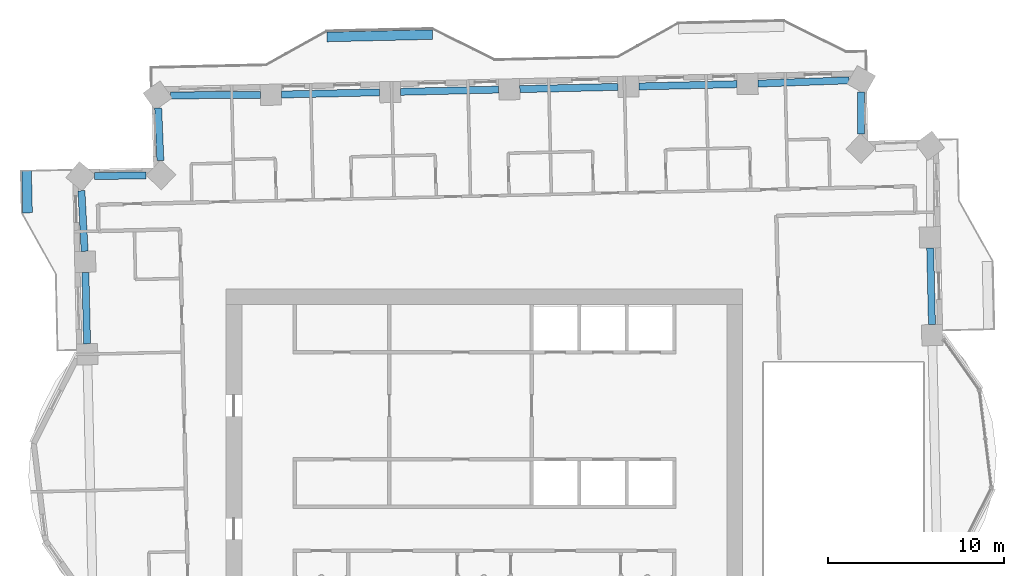
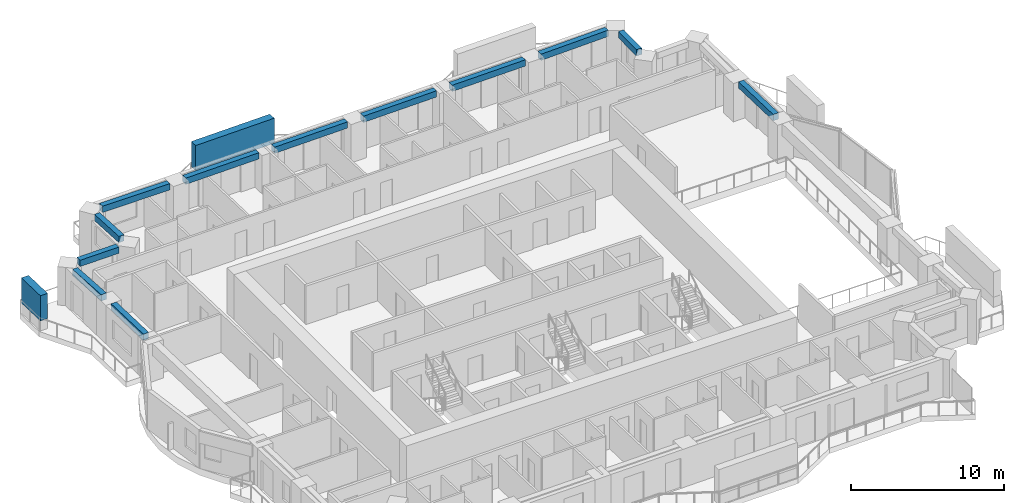
# One storey, part 3 of 16: 12 beams, 2 members.
"""IFC4 building model written with IfcOpenShell, lengths in metres."""

import ifcopenshell
import ifcopenshell.guid

model = None  # the IFC model being written
_history = None  # IfcOwnerHistory: only IFC2X3 demands one
_inside = {}  # id of a spatial element -> (the spatial element, [elements in it])
_under = {}  # id of a project, library or spatial element -> (it, [spatial elements below it])
_declared = {}  # id of a project -> (the project, [libraries it declares])
_typed = {}  # id of a type object -> (the type object, [elements of that type])
_made_of = {}  # id of a material, layer set ... -> (it, [elements and type objects made of it])


def new_model(schema):
    """Start an empty IFC model of exactly this schema.

    Asked for "IFC4X3", IfcOpenShell would pick the latest addendum, in which some entities
    have other attributes; the version numbers below select the first issue.
    IFC2X3 requires an IfcOwnerHistory on every rooted entity: one is made here for all.
    """
    global model, _history
    if schema == "IFC4X3":
        model = ifcopenshell.file(schema_version=(4, 3, 0, 0))
    else:
        model = ifcopenshell.file(schema=schema)
    _inside.clear()
    _under.clear()
    _declared.clear()
    _typed.clear()
    _made_of.clear()
    _history = None
    if model.schema == "IFC2X3":
        org = make("IfcOrganization", Name="unknown")
        user = make(
            "IfcPersonAndOrganization",
            ThePerson=make("IfcPerson", FamilyName="unknown"),
            TheOrganization=org,
        )
        app = make(
            "IfcApplication",
            ApplicationDeveloper=org,
            Version="unknown",
            ApplicationFullName="unknown",
            ApplicationIdentifier="unknown",
        )
        _history = make(
            "IfcOwnerHistory",
            OwningUser=user,
            OwningApplication=app,
            ChangeAction="ADDED",
            CreationDate=0,
        )
    return model


def make(cls, **values):
    """One entity of the class cls with the attributes given. An attribute that is None is left unset."""
    return model.create_entity(
        cls, **{name: value for name, value in values.items() if value is not None}
    )


def rooted(cls, **values):
    """An entity with a GlobalId (a new one), such as an element, a storey or a relation."""
    return make(cls, GlobalId=ifcopenshell.guid.new(), OwnerHistory=_history, **values)


def si_unit(unit_type, name, prefix=None):
    """IfcSIUnit, for example si_unit("LENGTHUNIT", "METRE", prefix="MILLI")."""
    return make("IfcSIUnit", UnitType=unit_type, Prefix=prefix, Name=name)


def assignment(units):
    """IfcUnitAssignment: the units of a project."""
    return None if units is None else make("IfcUnitAssignment", Units=units)


def point(xyz):
    """IfcCartesianPoint."""
    return None if xyz is None else make("IfcCartesianPoint", Coordinates=xyz)


def direction(xyz):
    """IfcDirection."""
    return None if xyz is None else make("IfcDirection", DirectionRatios=xyz)


def frame(location, z_axis=None, x_axis=None):
    """IfcAxis2Placement3D, a coordinate frame: its origin and axes. An axis left out is left unset."""
    return make(
        "IfcAxis2Placement3D",
        Location=point(location),
        Axis=direction(z_axis),
        RefDirection=direction(x_axis),
    )


def frame_2d(location, x_axis=None):
    """IfcAxis2Placement2D, a coordinate frame in the plane: its origin and x axis."""
    return make(
        "IfcAxis2Placement2D", Location=point(location), RefDirection=direction(x_axis)
    )


def origin():
    """The frame at (0, 0, 0) with its axes left unset."""
    return frame((0.0, 0.0, 0.0))


def origin_2d():
    """The frame at (0, 0) in the plane with its x axis left unset."""
    return frame_2d((0.0, 0.0))


def place(relative_to, where):
    """IfcLocalPlacement: puts the frame where relative to a parent placement (None: the world)."""
    return make(
        "IfcLocalPlacement", PlacementRelTo=relative_to, RelativePlacement=where
    )


def context(
    kind, dimensions, precision=None, world=None, true_north=None, identifier=None
):
    """IfcGeometricRepresentationContext, for example the 3D "Model" context."""
    return make(
        "IfcGeometricRepresentationContext",
        ContextIdentifier=identifier,
        ContextType=kind,
        CoordinateSpaceDimension=dimensions,
        Precision=precision,
        WorldCoordinateSystem=world,
        TrueNorth=true_north,
    )


def subcontext(parent, identifier, kind, view, scale=None):
    """IfcGeometricRepresentationSubContext, for example "Body" below "Model"."""
    return make(
        "IfcGeometricRepresentationSubContext",
        ContextIdentifier=identifier,
        ContextType=kind,
        ParentContext=parent,
        TargetScale=scale,
        TargetView=view,
    )


def project(units=None, contexts=None):
    """IfcProject with its units and contexts."""
    return rooted(
        "IfcProject",
        Name="project",
        RepresentationContexts=contexts,
        UnitsInContext=assignment(units),
    )


def spatial(cls, under=None, at=None, **own):
    """A site, building, storey or space (cls), placed at a placement, below another one or the project."""
    s = rooted(cls, ObjectPlacement=at, **own)
    if under is not None:
        _under.setdefault(under.id(), (under, []))[1].append(s)
    return s


def profile(cls, at=None, kind="AREA", **sizes):
    """A parametric profile (cls). Its sizes go by their IFC names, for example OverallWidth=200.0."""
    return make(cls, ProfileType=kind, Position=at, **sizes)


def rectangle(**sizes):
    """IfcRectangleProfileDef."""
    return profile("IfcRectangleProfileDef", **sizes)


def extrude(swept, where, along, depth):
    """IfcExtrudedAreaSolid: the profile swept, set in the frame where, extruded along a direction by depth."""
    return make(
        "IfcExtrudedAreaSolid",
        SweptArea=swept,
        Position=where,
        ExtrudedDirection=direction(along),
        Depth=depth,
    )


def shape(context_of_items, identifier, shape_type, items):
    """IfcShapeRepresentation: the items that make up one representation, for example the "Body"."""
    return make(
        "IfcShapeRepresentation",
        ContextOfItems=context_of_items,
        RepresentationIdentifier=identifier,
        RepresentationType=shape_type,
        Items=items,
    )


def material(Name=None, Category=None):
    """IfcMaterial."""
    return make("IfcMaterial", Name=Name, Category=Category)


def material_profile(
    of_material, cross_section, Name=None, Category=None, Priority=None
):
    """IfcMaterialProfile: a cross section and its material."""
    return make(
        "IfcMaterialProfile",
        Name=Name,
        Material=of_material,
        Profile=cross_section,
        Priority=Priority,
        Category=Category,
    )


def profile_set(profiles, Name=None, composite=None):
    """IfcMaterialProfileSet."""
    return make(
        "IfcMaterialProfileSet",
        Name=Name,
        MaterialProfiles=profiles,
        CompositeProfile=composite,
    )


def made_of(thing, what):
    """Note that an element or type object is made of a material, layer set ...; save() writes the relation."""
    if what is not None:
        _made_of.setdefault(what.id(), (what, []))[1].append(thing)
    return thing


def type_object(cls, material=None, **own):
    """A type object (cls), such as IfcWallType, which elements share."""
    return made_of(rooted(cls, **own), material)


def element(
    cls,
    number,
    at=None,
    inside=None,
    cuts=None,
    type_object=None,
    material=None,
    context=None,
    identifier="Body",
    shape_type=None,
    held_by="IfcProductDefinitionShape",
    body=None,
    shapes=None,
    **own,
):
    """One element of the class cls, such as IfcWall. Its Tag is "e" and its number.

    at: its placement. inside: the storey or other place that contains it. cuts: it is an
    opening in that element (IfcRelVoidsElement). A single representation is given by context,
    identifier, shape_type and body (its items); several are given by shapes. held_by: the class
    of the entity that holds the representations. save() writes the other relations.
    """
    e = rooted(cls, Tag="e%d" % number, ObjectPlacement=at, **own)
    if body is not None:
        shapes = [shape(context, identifier, shape_type, body)]
    if shapes is not None:
        e.Representation = make(held_by, Representations=shapes)
    if inside is not None:
        _inside.setdefault(inside.id(), (inside, []))[1].append(e)
    if cuts is not None:
        rooted(
            "IfcRelVoidsElement", RelatingBuildingElement=cuts, RelatedOpeningElement=e
        )
    if type_object is not None:
        _typed.setdefault(type_object.id(), (type_object, []))[1].append(e)
    return made_of(e, material)


def aggregate(whole, parts):
    """IfcRelAggregates: a whole, such as a stair, and the parts it consists of."""
    return rooted("IfcRelAggregates", RelatingObject=whole, RelatedObjects=parts)


def save(model, path):
    """Write the relations noted so far, then the file.

    IfcRelAggregates (storeys below a building ...), IfcRelContainedInSpatialStructure (elements
    in a storey), IfcRelDefinesByType, IfcRelAssociatesMaterial and IfcRelDeclares: one each for
    every whole, place, type object, material and project.
    """
    for whole, parts in _under.values():
        aggregate(whole, parts)
    for where, things in _inside.values():
        rooted(
            "IfcRelContainedInSpatialStructure",
            RelatedElements=things,
            RelatingStructure=where,
        )
    for kind, things in _typed.values():
        rooted("IfcRelDefinesByType", RelatedObjects=things, RelatingType=kind)
    for what, things in _made_of.values():
        rooted("IfcRelAssociatesMaterial", RelatedObjects=things, RelatingMaterial=what)
    for by, libraries in _declared.values():
        rooted("IfcRelDeclares", RelatingContext=by, RelatedDefinitions=libraries)
    model.write(path)


model = new_model("IFC4")

# Units and contexts
model_context = context("Model", 3, precision=1e-05, world=origin(), true_north=direction((0.0, 1.0)))
body_context = subcontext(model_context, "Body", "Model", "MODEL_VIEW")
ifc_project = project(units=[si_unit("LENGTHUNIT", "METRE"), si_unit("AREAUNIT", "SQUARE_METRE"), si_unit("VOLUMEUNIT", "CUBIC_METRE"), si_unit("PLANEANGLEUNIT", "RADIAN"), si_unit("MASSUNIT", "GRAM", prefix="KILO")], contexts=[model_context])

# Site, building, storey
site_placement = place(None, origin())
site = spatial("IfcSite", under=ifc_project, at=site_placement, CompositionType="ELEMENT")
building_placement = place(site_placement, origin())
building = spatial("IfcBuilding", under=site, at=building_placement, Name="Mangrove Gate Tower", CompositionType="ELEMENT")
storey_placement = place(building_placement, frame((0.0, 0.0, 175.300048828125)))
storey = spatial("IfcBuildingStorey", under=building, at=storey_placement, Name="L44", CompositionType="ELEMENT", Elevation=175.300048828125)

# Members
ifc_material_1 = material(Name="Planting on aluminium trellis", Category="aluminium")
ifc_material_profile_1 = material_profile(ifc_material_1, rectangle(XDim=0.550048828125, YDim=2.0, at=origin_2d()))
ifc_profile_set_1 = profile_set([ifc_material_profile_1], Name="Planting on aluminium trellis")
member_type = type_object("IfcMemberType", Name="Balcony greenery screen 550x2000", PredefinedType="USERDEFINED", material=ifc_profile_set_1)
member_1_placement = place(storey_placement, frame((-8.9560546875, 26.031982421875, 1.800048828125), z_axis=(0.999743094499, 0.022665943652, 0.0), x_axis=(-0.022665943652, 0.999743094499, 0.0)))
element("IfcMember", 1, at=member_1_placement, inside=storey, type_object=member_type, Name="GREEN SCREEN L44 N1.1", ObjectType="PLANTING", PredefinedType="USERDEFINED", context=body_context, shape_type="SweptSolid", body=[
    extrude(rectangle(XDim=0.550048828125, YDim=2.0, at=origin_2d()), origin(), (0.0, 0.0, 1.0), 5.99951171875),
])
member_2_placement = place(storey_placement, frame((-25.988037109375, 16.028076171875, 1.800048828125), z_axis=(-0.022892431828, 0.999737933943, 0.0), x_axis=(-0.999737933943, -0.022892431828, 0.0)))
element("IfcMember", 2, at=member_2_placement, inside=storey, type_object=member_type, Name="GREEN SCREEN L44 W0.1", ObjectType="PLANTING", PredefinedType="USERDEFINED", context=body_context, shape_type="SweptSolid", body=[
    extrude(rectangle(XDim=0.550048828125, YDim=2.0, at=origin_2d()), origin(), (0.0, 0.0, 1.0), 2.399658203125),
])

# Beams
ifc_material_2 = material(Name="Concrete C50/60", Category="concrete")
ifc_material_profile_2 = material_profile(ifc_material_2, rectangle(XDim=0.39990234375, YDim=0.5, at=origin_2d()))
ifc_profile_set_2 = profile_set([ifc_material_profile_2], Name="Concrete C50/60")
beam_type = type_object("IfcBeamType", Name="Edge beam RC 400x500 C50/60", PredefinedType="BEAM", material=ifc_profile_set_2)
beam_1_placement = place(storey_placement, frame((25.46435546875, 9.669189453125, 2.800048828125), z_axis=(-0.022838386415, 0.999739170037, 0.0), x_axis=(-0.999739170037, -0.022838386415, 0.0)))
element("IfcBeam", 3, at=beam_1_placement, inside=storey, type_object=beam_type, Name="Edge beam L44 15", PredefinedType="BEAM", context=body_context, shape_type="SweptSolid", body=[
    extrude(rectangle(XDim=0.39990234375, YDim=0.5, at=origin_2d()), origin(), (0.0, 0.0, 1.0), 4.361572265625),
])
beam_2_placement = place(storey_placement, frame((21.41796875, 20.50390625, 2.800048828125), z_axis=(0.008133945451, 0.999966918919, 0.0), x_axis=(-0.999966918919, 0.008133945451, 0.0)))
element("IfcBeam", 4, at=beam_2_placement, inside=storey, type_object=beam_type, Name="Edge beam L44 18", PredefinedType="BEAM", context=body_context, shape_type="SweptSolid", body=[
    extrude(rectangle(XDim=0.39990234375, YDim=0.5, at=origin_2d()), origin(), (0.0, 0.0, 1.0), 2.401123046875),
])
beam_3_placement = place(storey_placement, frame((20.741455078125, 23.564453125, 2.800048828125), z_axis=(-0.99936699483, -0.03557540787, 0.0), x_axis=(0.03557540787, -0.99936699483, 0.0)))
element("IfcBeam", 5, at=beam_3_placement, inside=storey, type_object=beam_type, Name="Edge beam L44 19", PredefinedType="BEAM", context=body_context, shape_type="SweptSolid", body=[
    extrude(rectangle(XDim=0.39990234375, YDim=0.5, at=origin_2d()), origin(), (0.0, 0.0, 1.0), 5.17431640625),
])
for number, where, z_axis, x_axis, name in (
    (6, (14.370849609375, 23.345458984375, 2.800048828125), (-0.999742129115, -0.022708484617, 0.0), (0.022708484617, -0.999742129115, 0.0), "Edge beam L44 20"),
    (7, (7.5927734375, 23.19140625, 2.800048828125), (-0.999742129115, -0.022708484617, 0.0), (0.022708484617, -0.999742129115, 0.0), "Edge beam L44 21"),
    (8, (0.814697265625, 23.03759765625, 2.800048828125), (-0.999742129115, -0.022708484617, 0.0), (0.022708484617, -0.999742129115, 0.0), "Edge beam L44 22"),
):
    element("IfcBeam", number, at=place(storey_placement, frame(where, z_axis=z_axis, x_axis=x_axis)), inside=storey, type_object=beam_type, Name=name, PredefinedType="BEAM", context=body_context, shape_type="SweptSolid", body=[
        extrude(rectangle(XDim=0.39990234375, YDim=0.5, at=origin_2d()), origin(), (0.0, 0.0, 1.0), 5.579833984375),
    ])
beam_4_placement = place(storey_placement, frame((-5.96337890625, 22.883544921875, 2.800048828125), z_axis=(-0.999746153815, -0.022530599913, 0.0), x_axis=(0.022530599913, -0.999746153815, 0.0)))
element("IfcBeam", 9, at=beam_4_placement, inside=storey, type_object=beam_type, Name="Edge beam L44 23", PredefinedType="BEAM", context=body_context, shape_type="SweptSolid", body=[
    extrude(rectangle(XDim=0.39990234375, YDim=0.5, at=origin_2d()), origin(), (0.0, 0.0, 1.0), 5.58056640625),
])
beam_5_placement = place(storey_placement, frame((-12.742431640625, 22.740234375, 2.800048828125), z_axis=(-0.999977633911, -0.006688174505, 0.0), x_axis=(0.006688174505, -0.999977633911, 0.0)))
element("IfcBeam", 10, at=beam_5_placement, inside=storey, type_object=beam_type, Name="Edge beam L44 24", PredefinedType="BEAM", context=body_context, shape_type="SweptSolid", body=[
    extrude(rectangle(XDim=0.39990234375, YDim=0.5, at=origin_2d()), origin(), (0.0, 0.0, 1.0), 5.1103515625),
])
beam_6_placement = place(storey_placement, frame((-18.555908203125, 21.986083984375, 2.800048828125), z_axis=(0.041862254273, -0.999123391612, 0.0), x_axis=(0.999123391612, 0.041862254273, 0.0)))
element("IfcBeam", 11, at=beam_6_placement, inside=storey, type_object=beam_type, Name="Edge beam L44 25", PredefinedType="BEAM", context=body_context, shape_type="SweptSolid", body=[
    extrude(rectangle(XDim=0.39990234375, YDim=0.5, at=origin_2d()), origin(), (0.0, 0.0, 1.0), 2.980224609375),
])
beam_7_placement = place(storey_placement, frame((-19.2392578125, 18.162841796875, 2.800048828125), z_axis=(-0.999868543092, -0.016214084483, 0.0), x_axis=(0.016214084483, -0.999868543092, 0.0)))
element("IfcBeam", 12, at=beam_7_placement, inside=storey, type_object=beam_type, Name="Edge beam L44 26", PredefinedType="BEAM", context=body_context, shape_type="SweptSolid", body=[
    extrude(rectangle(XDim=0.39990234375, YDim=0.5, at=origin_2d()), origin(), (0.0, 0.0, 1.0), 2.936279296875),
])
beam_8_placement = place(storey_placement, frame((-22.924072265625, 17.28466796875, 2.800048828125), z_axis=(0.053067610798, -0.998590921591, 0.0), x_axis=(0.998590921591, 0.053067610798, 0.0)))
element("IfcBeam", 13, at=beam_8_placement, inside=storey, type_object=beam_type, Name="Edge beam L44 27", PredefinedType="BEAM", context=body_context, shape_type="SweptSolid", body=[
    extrude(rectangle(XDim=0.39990234375, YDim=0.5, at=origin_2d()), origin(), (0.0, 0.0, 1.0), 3.450439453125),
])
beam_9_placement = place(storey_placement, frame((-22.695556640625, 12.6396484375, 2.800048828125), z_axis=(0.022597173963, -0.999744651263, 0.0), x_axis=(0.999744651263, 0.022597173963, 0.0)))
element("IfcBeam", 14, at=beam_9_placement, inside=storey, type_object=beam_type, Name="Edge beam L44 28", PredefinedType="BEAM", context=body_context, shape_type="SweptSolid", body=[
    extrude(rectangle(XDim=0.39990234375, YDim=0.5, at=origin_2d()), origin(), (0.0, 0.0, 1.0), 4.062255859375),
])

save(model, "model.ifc")
